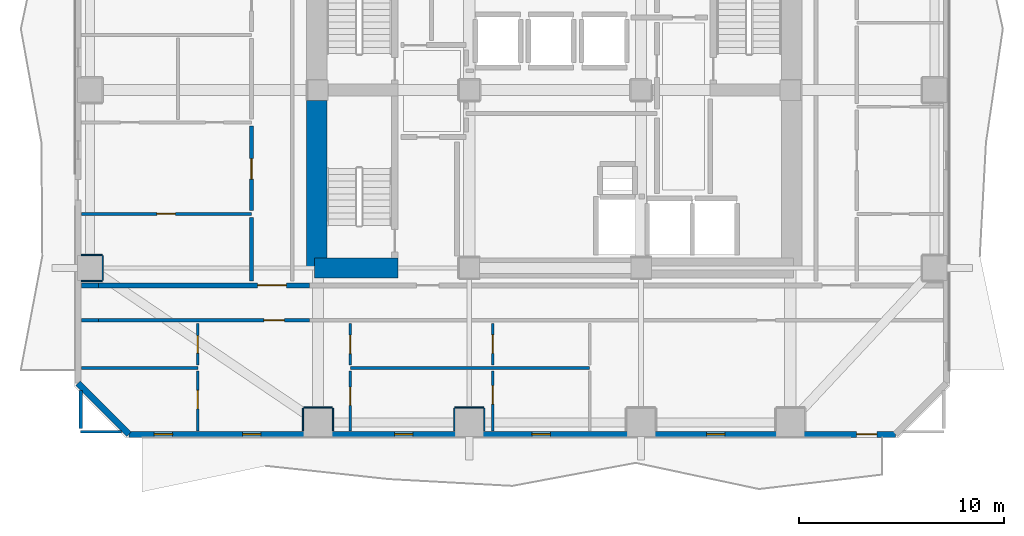
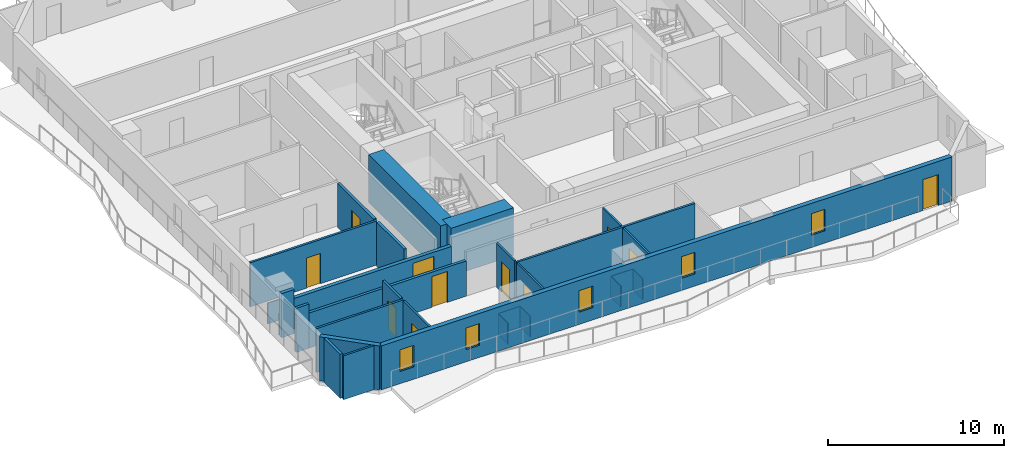
# One storey, part 2 of 10: 30 walls, 11 doors, 5 windows, 16 openings.
"""IFC4 building model written with IfcOpenShell, lengths in metres."""

from ifc_helpers import new_model, si_unit, direction, frame, frame_2d, origin, place, context, subcontext, project, spatial, rectangle, extrude, material, layer, layer_set, type_object, element, fill, save


model = new_model("IFC4")

# Units and contexts
model_context = context("Model", 3, precision=1e-05, world=origin(), true_north=direction((0.0, 1.0)))
body_context = subcontext(model_context, "Body", "Model", "MODEL_VIEW")
ifc_project = project(units=[si_unit("LENGTHUNIT", "METRE"), si_unit("AREAUNIT", "SQUARE_METRE"), si_unit("VOLUMEUNIT", "CUBIC_METRE"), si_unit("PLANEANGLEUNIT", "RADIAN"), si_unit("MASSUNIT", "GRAM", prefix="KILO")], contexts=[model_context])

# Site, building, storey
site_placement = place(None, origin())
site = spatial("IfcSite", under=ifc_project, at=site_placement, CompositionType="ELEMENT")
building_placement = place(site_placement, origin())
building = spatial("IfcBuilding", under=site, at=building_placement, Name="Solanera Arch Residences", CompositionType="ELEMENT")
storey_placement = place(building_placement, frame((0.0, 0.0, 99.43994140625)))
storey = spatial("IfcBuildingStorey", under=building, at=storey_placement, Name="L28", CompositionType="ELEMENT", Elevation=99.43994140625)

# Walls
ifc_material_1 = material(Name="Fire-Rated Gypsum Stud Partition", Category="gypsum")
ifc_layer_1 = layer(ifc_material_1, 0.06005859375)
ifc_layer_set_1 = layer_set([ifc_layer_1], Name="Fire-Rated Gypsum Stud Partition")
wall_type_1 = type_object("IfcWallType", Name="Column Acoustic Furring Wall 60", PredefinedType="PARTITIONING", material=ifc_layer_set_1)
wall_1_placement = place(storey_placement, frame((12.699951171875, 15.181884765625, 0.0), z_axis=(0.0, 0.0, 1.0), x_axis=(1.0, 0.0, 0.0)))
element("IfcWall", 1, at=wall_1_placement, inside=storey, type_object=wall_type_1, Name="L28 Column Furring 9N", PredefinedType="PARTITIONING", context=body_context, shape_type="SweptSolid", body=[
    extrude(rectangle(XDim=1.400146484375, YDim=0.06005859375, at=frame_2d((0.7001953125, 0.0))), origin(), (0.0, 0.0, 1.0), 1.449951171875),
])
for number, where, z_axis, x_axis, name in (
    (2, (12.66796875, 14.030029296875, 0.0), (0.0, 0.0, 1.0), (0.0, 1.0, 0.0), "L28 Column Furring 9W"),
    (3, (14.132080078125, 14.030029296875, 0.0), (0.0, 0.0, 1.0), (0.0, 1.0, 0.0), "L28 Column Furring 9E"),
):
    element("IfcWall", number, at=place(storey_placement, frame(where, z_axis=z_axis, x_axis=x_axis)), inside=storey, type_object=wall_type_1, Name=name, PredefinedType="PARTITIONING", context=body_context, shape_type="SweptSolid", body=[
        extrude(rectangle(XDim=1.119873046875, YDim=0.06005859375, at=frame_2d((0.56005859375, 0.0))), origin(), (0.0, 0.0, 1.0), 1.449951171875),
    ])
wall_2_placement = place(storey_placement, frame((20.10009765625, 15.181884765625, 0.0), z_axis=(0.0, 0.0, 1.0), x_axis=(1.0, 0.0, 0.0)))
element("IfcWall", 4, at=wall_2_placement, inside=storey, type_object=wall_type_1, Name="L28 Column Furring 11N", PredefinedType="PARTITIONING", context=body_context, shape_type="SweptSolid", body=[
    extrude(rectangle(XDim=1.39990234375, YDim=0.06005859375, at=frame_2d((0.699951171875, 0.0))), origin(), (0.0, 0.0, 1.0), 1.449951171875),
])
for number, where, z_axis, x_axis, name in (
    (5, (20.068115234375, 14.030029296875, 0.0), (0.0, 0.0, 1.0), (0.0, 1.0, 0.0), "L28 Column Furring 11W"),
    (6, (21.531982421875, 14.030029296875, 0.0), (0.0, 0.0, 1.0), (0.0, 1.0, 0.0), "L28 Column Furring 11E"),
):
    element("IfcWall", number, at=place(storey_placement, frame(where, z_axis=z_axis, x_axis=x_axis)), inside=storey, type_object=wall_type_1, Name=name, PredefinedType="PARTITIONING", context=body_context, shape_type="SweptSolid", body=[
        extrude(rectangle(XDim=1.119873046875, YDim=0.06005859375, at=frame_2d((0.56005859375, 0.0))), origin(), (0.0, 0.0, 1.0), 1.449951171875),
    ])
for number, where, z_axis, x_axis, name in (
    (7, (1.830078125, 21.367919921875, 0.0), (0.0, 0.0, 1.0), (1.0, 0.0, 0.0), "L28 Column Furring 17S"),
    (8, (1.830078125, 22.632080078125, 0.0), (0.0, 0.0, 1.0), (1.0, 0.0, 0.0), "L28 Column Furring 17N"),
):
    element("IfcWall", number, at=place(storey_placement, frame(where, z_axis=z_axis, x_axis=x_axis)), inside=storey, type_object=wall_type_1, Name=name, PredefinedType="PARTITIONING", context=body_context, shape_type="SweptSolid", body=[
        extrude(rectangle(XDim=1.02001953125, YDim=0.06005859375, at=frame_2d((0.510009765625, 0.0))), origin(), (0.0, 0.0, 1.0), 1.449951171875),
    ])
wall_3_placement = place(storey_placement, frame((2.882080078125, 21.39990234375, 0.0), z_axis=(0.0, 0.0, 1.0), x_axis=(0.0, 1.0, 0.0)))
element("IfcWall", 9, at=wall_3_placement, inside=storey, type_object=wall_type_1, Name="L28 Column Furring 17E", PredefinedType="PARTITIONING", context=body_context, shape_type="SweptSolid", body=[
    extrude(rectangle(XDim=1.2001953125, YDim=0.06005859375, at=frame_2d((0.60009765625, 0.0))), origin(), (0.0, 0.0, 1.0), 1.449951171875),
])
ifc_material_2 = material(Name="Concrete C55/67 (f'c = 60 MPa)", Category="concrete")
ifc_layer_2 = layer(ifc_material_2, 1.0)
ifc_layer_set_2 = layer_set([ifc_layer_2], Name="Concrete C55/67 (f'c = 60 MPa)")
wall_type_2 = type_object("IfcWallType", Name="Core Shear Wall CW-1000", PredefinedType="SHEAR", material=ifc_layer_set_2)
wall_4_placement = place(storey_placement, frame((13.340087890625, 22.0, 0.0), z_axis=(0.0, 0.0, 1.0), x_axis=(0.0, 1.0, 0.0)))
element("IfcWall", 10, at=wall_4_placement, inside=storey, type_object=wall_type_2, Name="L28 West Core South Shear Wall", PredefinedType="SHEAR", context=body_context, shape_type="SweptSolid", body=[
    extrude(rectangle(XDim=8.195068359375, YDim=1.0, at=frame_2d((4.09765625, 0.0))), origin(), (0.0, 0.0, 1.0), 3.320068359375),
])
wall_5_placement = place(storey_placement, frame((13.239990234375, 22.0, 0.0), z_axis=(0.0, 0.0, 1.0), x_axis=(1.0, 0.0, 0.0)))
element("IfcWall", 11, at=wall_5_placement, inside=storey, type_object=wall_type_2, Name="L28 South-West Core Shear Wall", PredefinedType="SHEAR", context=body_context, shape_type="SweptSolid", body=[
    extrude(rectangle(XDim=4.080078125, YDim=1.0, at=frame_2d((2.0400390625, 0.0))), origin(), (0.0, 0.0, 1.0), 3.320068359375),
])
ifc_material_3 = material(Name="Autoclaved Aerated Concrete Blockwork", Category="masonry")
ifc_layer_3 = layer(ifc_material_3, 0.179931640625)
ifc_layer_set_3 = layer_set([ifc_layer_3], Name="Autoclaved Aerated Concrete Blockwork")
wall_type_3 = type_object("IfcWallType", Name="Corridor Fire Partition 180", PredefinedType="PARTITIONING", material=ifc_layer_set_3)
wall_6_placement = place(storey_placement, frame((1.826904296875, 19.449951171875, 0.0), z_axis=(0.0, 0.0, 1.0), x_axis=(1.0, 0.0, 0.0)))
element("IfcWall", 12, at=wall_6_placement, inside=storey, type_object=wall_type_3, Name="L28 Interior Partition H6 1", PredefinedType="PARTITIONING", context=body_context, shape_type="SweptSolid", body=[
    extrude(rectangle(XDim=0.830078125, YDim=0.179931640625, at=frame_2d((0.4150390625, 0.0))), origin(), (0.0, 0.0, 1.0), 3.06005859375),
])

# Wall, opening, door
wall_7_placement = place(storey_placement, frame((2.656982421875, 19.449951171875, 0.0), z_axis=(0.0, 0.0, 1.0), x_axis=(1.0, 0.0, 0.0)))
wall_7 = element("IfcWall", 13, at=wall_7_placement, inside=storey, type_object=wall_type_3, Name="L28 Interior Partition H6 2", PredefinedType="PARTITIONING", context=body_context, shape_type="SweptSolid", body=[
    extrude(rectangle(XDim=10.3359375, YDim=0.179931640625, at=frame_2d((5.16796875, 0.0))), origin(), (0.0, 0.0, 1.0), 2.445068359375),
])
opening_1_placement = place(wall_7_placement, frame((8.096923828125, 0.0, 0.0)))
opening_1 = element("IfcOpeningElement", 14, at=opening_1_placement, cuts=wall_7, Name="Opening DI-01", PredefinedType="OPENING", context=body_context, shape_type="SweptSolid", body=[
    extrude(rectangle(XDim=1.0, YDim=2.14990234375, at=frame_2d((0.5, 1.074951171875))), frame((0.0, 0.10009765625, 0.0), z_axis=(0.0, -1.0, 0.0), x_axis=(1.0, 0.0, 0.0)), (0.0, 0.0, 1.0), 0.1999),
])
ifc_material_4 = material(Name="Fire-Rated Architectural Hardwood", Category="wood")
door_type_1 = type_object("IfcDoorType", Name="Unit Entrance Fire Door DI-01", OperationType="NOTDEFINED", PredefinedType="DOOR", material=ifc_material_4)
door_1_placement = place(opening_1_placement, origin())
door_1 = element("IfcDoor", 15, at=door_1_placement, inside=storey, type_object=door_type_1, Name="DR-L28-IN-016", OperationType="SINGLE_SWING_LEFT", OverallHeight=2.14990234375, OverallWidth=1.0, PredefinedType="DOOR", context=body_context, shape_type="SweptSolid", body=[
    extrude(rectangle(XDim=1.0, YDim=2.14990234375, at=frame_2d((0.5, 1.074951171875))), frame((0.0, 0.02490234375, 0.0), z_axis=(0.0, -1.0, 0.0), x_axis=(1.0, 0.0, 0.0)), (0.0, 0.0, 1.0), 0.050048828125),
])
fill(opening_1, door_1)

# Walls
wall_8_placement = place(storey_placement, frame((1.800048828125, 14.157958984375, 0.0), z_axis=(0.0, 0.0, 1.0), x_axis=(0.0, 1.0, 0.0)))
element("IfcWall", 16, at=wall_8_placement, inside=storey, type_object=wall_type_3, Name="L28 Interior Partition V7 1", PredefinedType="PARTITIONING", context=body_context, shape_type="SweptSolid", body=[
    extrude(rectangle(XDim=1.843017578125, YDim=0.179931640625, at=frame_2d((0.92138671875, 0.0))), origin(), (0.0, 0.0, 1.0), 3.06005859375),
])
wall_9_placement = place(storey_placement, frame((10.14990234375, 21.367919921875, 0.0), z_axis=(0.0, 0.0, 1.0), x_axis=(0.0, 1.0, 0.0)))
element("IfcWall", 17, at=wall_9_placement, inside=storey, type_object=wall_type_3, Name="L28 Interior Partition V8 1", PredefinedType="PARTITIONING", context=body_context, shape_type="SweptSolid", body=[
    extrude(rectangle(XDim=3.109130859375, YDim=0.179931640625, at=frame_2d((1.5546875, 0.0))), origin(), (0.0, 0.0, 1.0), 3.06005859375),
])

# Wall, opening, door
wall_10_placement = place(storey_placement, frame((10.14990234375, 24.81298828125, 0.0), z_axis=(0.0, 0.0, 1.0), x_axis=(0.0, 1.0, 0.0)))
wall_10 = element("IfcWall", 18, at=wall_10_placement, inside=storey, type_object=wall_type_3, Name="L28 Interior Partition V8 2", PredefinedType="PARTITIONING", context=body_context, shape_type="SweptSolid", body=[
    extrude(rectangle(XDim=4.138916015625, YDim=0.179931640625, at=frame_2d((2.0693359375, 0.0))), origin(), (0.0, 0.0, 1.0), 3.06005859375),
])
opening_2_placement = place(wall_10_placement, frame((1.537109375, 0.0, 0.0)))
opening_2 = element("IfcOpeningElement", 19, at=opening_2_placement, cuts=wall_10, Name="Opening DI-01", PredefinedType="OPENING", context=body_context, shape_type="SweptSolid", body=[
    extrude(rectangle(XDim=1.0, YDim=2.14990234375, at=frame_2d((0.5, 1.074951171875))), frame((0.0, 0.10009765625, 0.0), z_axis=(0.0, -1.0, 0.0), x_axis=(1.0, 0.0, 0.0)), (0.0, 0.0, 1.0), 0.1999),
])
door_2_placement = place(opening_2_placement, origin())
door_2 = element("IfcDoor", 20, at=door_2_placement, inside=storey, type_object=door_type_1, Name="DR-L28-IN-031", OperationType="SINGLE_SWING_RIGHT", OverallHeight=2.14990234375, OverallWidth=1.0, PredefinedType="DOOR", context=body_context, shape_type="SweptSolid", body=[
    extrude(rectangle(XDim=1.0, YDim=2.14990234375, at=frame_2d((0.5, 1.074951171875))), frame((0.0, 0.02490234375, 0.0), z_axis=(0.0, -1.0, 0.0), x_axis=(1.0, 0.0, 0.0)), (0.0, 0.0, 1.0), 0.050048828125),
])
fill(opening_2, door_2)

# Wall, openings, door, windows
ifc_material_5 = material(Name="Precast Concrete C35/45", Category="concrete")
ifc_layer_4 = layer(ifc_material_5, 0.300048828125)
ifc_layer_set_4 = layer_set([ifc_layer_4], Name="Precast Concrete C35/45")
wall_type_4 = type_object("IfcWallType", Name="Exterior Wall Precast Masonry-Frame 300", PredefinedType="STANDARD", material=ifc_layer_set_4)
wall_11_placement = place(storey_placement, frame((41.635009765625, 13.864990234375, 0.0), z_axis=(0.0, 0.0, 1.0), x_axis=(-1.0, 0.0, 0.0)))
wall_11 = element("IfcWall", 21, at=wall_11_placement, inside=storey, type_object=wall_type_4, Name="L28 Tower Exterior Precast Masonry-Frame Wall S", PredefinedType="STANDARD", context=body_context, shape_type="SweptSolid", body=[
    extrude(rectangle(XDim=37.469970703125, YDim=0.300048828125, at=frame_2d((18.73486328125, 0.0))), origin(), (0.0, 0.0, 1.0), 3.06005859375),
])
opening_3_placement = place(wall_11_placement, frame((0.90087890625, 0.0, 0.0)))
opening_3 = element("IfcOpeningElement", 22, at=opening_3_placement, cuts=wall_11, Name="Opening DB-01", PredefinedType="OPENING", context=body_context, shape_type="SweptSolid", body=[
    extrude(rectangle(XDim=1.0, YDim=2.14990234375, at=frame_2d((0.5, 1.074951171875))), frame((0.0, 0.159912109375, 0.0), z_axis=(0.0, -1.0, 0.0), x_axis=(1.0, 0.0, 0.0)), (0.0, 0.0, 1.0), 0.32),
])
opening_4_placement = place(wall_11_placement, frame((31.02392578125, 0.0, 0.85009765625)))
opening_4 = element("IfcOpeningElement", 23, at=opening_4_placement, cuts=wall_11, Name="Opening W-06", PredefinedType="OPENING", context=body_context, shape_type="SweptSolid", body=[
    extrude(rectangle(XDim=0.89990234375, YDim=1.5, at=frame_2d((0.449951171875, 0.75))), frame((0.0, 0.159912109375, 0.0), z_axis=(0.0, -1.0, 0.0), x_axis=(1.0, 0.0, 0.0)), (0.0, 0.0, 1.0), 0.32),
])
opening_5_placement = place(wall_11_placement, frame((35.345947265625, 0.0, 0.85009765625)))
opening_5 = element("IfcOpeningElement", 24, at=opening_5_placement, cuts=wall_11, Name="Opening W-06", PredefinedType="OPENING", context=body_context, shape_type="SweptSolid", body=[
    extrude(rectangle(XDim=0.89990234375, YDim=1.5, at=frame_2d((0.449951171875, 0.75))), frame((0.0, 0.159912109375, 0.0), z_axis=(0.0, -1.0, 0.0), x_axis=(1.0, 0.0, 0.0)), (0.0, 0.0, 1.0), 0.32),
])
opening_6_placement = place(wall_11_placement, frame((23.592041015625, 0.0, 0.85009765625)))
opening_6 = element("IfcOpeningElement", 25, at=opening_6_placement, cuts=wall_11, Name="Opening W-06", PredefinedType="OPENING", context=body_context, shape_type="SweptSolid", body=[
    extrude(rectangle(XDim=0.89990234375, YDim=1.5, at=frame_2d((0.449951171875, 0.75))), frame((0.0, 0.159912109375, 0.0), z_axis=(0.0, -1.0, 0.0), x_axis=(1.0, 0.0, 0.0)), (0.0, 0.0, 1.0), 0.32),
])
opening_7_placement = place(wall_11_placement, frame((16.8701171875, 0.0, 0.85009765625)))
opening_7 = element("IfcOpeningElement", 26, at=opening_7_placement, cuts=wall_11, Name="Opening W-06", PredefinedType="OPENING", context=body_context, shape_type="SweptSolid", body=[
    extrude(rectangle(XDim=0.89990234375, YDim=1.5, at=frame_2d((0.449951171875, 0.75))), frame((0.0, 0.159912109375, 0.0), z_axis=(0.0, -1.0, 0.0), x_axis=(1.0, 0.0, 0.0)), (0.0, 0.0, 1.0), 0.32),
])
opening_8_placement = place(wall_11_placement, frame((8.3349609375, 0.0, 0.85009765625)))
opening_8 = element("IfcOpeningElement", 27, at=opening_8_placement, cuts=wall_11, Name="Opening W-06", PredefinedType="OPENING", context=body_context, shape_type="SweptSolid", body=[
    extrude(rectangle(XDim=0.89990234375, YDim=1.5, at=frame_2d((0.449951171875, 0.75))), frame((0.0, 0.159912109375, 0.0), z_axis=(0.0, -1.0, 0.0), x_axis=(1.0, 0.0, 0.0)), (0.0, 0.0, 1.0), 0.32),
])
ifc_material_6 = material(Name="Anodised Aluminium Alloy 6063-T6", Category="aluminium")
door_type_2 = type_object("IfcDoorType", Name="Glazed Balcony Swing Door DB-01", OperationType="NOTDEFINED", PredefinedType="DOOR", material=ifc_material_6)
door_3_placement = place(opening_3_placement, origin())
door_3 = element("IfcDoor", 28, at=door_3_placement, inside=storey, type_object=door_type_2, Name="DR-L28-OUT-01", OperationType="SINGLE_SWING_RIGHT", OverallHeight=2.14990234375, OverallWidth=1.0, PredefinedType="DOOR", context=body_context, shape_type="SweptSolid", body=[
    extrude(rectangle(XDim=1.0, YDim=2.14990234375, at=frame_2d((0.5, 1.074951171875))), frame((0.0, 0.02490234375, 0.0), z_axis=(0.0, -1.0, 0.0), x_axis=(1.0, 0.0, 0.0)), (0.0, 0.0, 1.0), 0.050048828125),
])
fill(opening_3, door_3)
ifc_material_7 = material(Name="Double Glazed Low-E Laminated Glass", Category="glass")
window_type = type_object("IfcWindowType", Name="Punched Window W-06", PartitioningType="SINGLE_PANEL", PredefinedType="WINDOW", material=ifc_material_7)
window_1_placement = place(opening_4_placement, origin())
window_1 = element("IfcWindow", 29, at=window_1_placement, inside=storey, type_object=window_type, Name="L28 2801-LIV Punched Window", OverallHeight=1.5, OverallWidth=0.89990234375, PartitioningType="SINGLE_PANEL", PredefinedType="WINDOW", context=body_context, shape_type="SweptSolid", body=[
    extrude(rectangle(XDim=0.89990234375, YDim=1.5, at=frame_2d((0.449951171875, 0.75))), frame((0.0, 0.030029296875, 0.0), z_axis=(0.0, -1.0, 0.0), x_axis=(1.0, 0.0, 0.0)), (0.0, 0.0, 1.0), 0.06005859375),
])
fill(opening_4, window_1)
window_2_placement = place(opening_5_placement, origin())
window_2 = element("IfcWindow", 30, at=window_2_placement, inside=storey, type_object=window_type, Name="L28 2801-BR1 Punched Window", OverallHeight=1.5, OverallWidth=0.89990234375, PartitioningType="SINGLE_PANEL", PredefinedType="WINDOW", context=body_context, shape_type="SweptSolid", body=[
    extrude(rectangle(XDim=0.89990234375, YDim=1.5, at=frame_2d((0.449951171875, 0.75))), frame((0.0, 0.030029296875, 0.0), z_axis=(0.0, -1.0, 0.0), x_axis=(1.0, 0.0, 0.0)), (0.0, 0.0, 1.0), 0.06005859375),
])
fill(opening_5, window_2)
window_3_placement = place(opening_6_placement, origin())
window_3 = element("IfcWindow", 31, at=window_3_placement, inside=storey, type_object=window_type, Name="L28 2801-BR2 Punched Window", OverallHeight=1.5, OverallWidth=0.89990234375, PartitioningType="SINGLE_PANEL", PredefinedType="WINDOW", context=body_context, shape_type="SweptSolid", body=[
    extrude(rectangle(XDim=0.89990234375, YDim=1.5, at=frame_2d((0.449951171875, 0.75))), frame((0.0, 0.030029296875, 0.0), z_axis=(0.0, -1.0, 0.0), x_axis=(1.0, 0.0, 0.0)), (0.0, 0.0, 1.0), 0.06005859375),
])
fill(opening_6, window_3)
window_4_placement = place(opening_7_placement, origin())
window_4 = element("IfcWindow", 32, at=window_4_placement, inside=storey, type_object=window_type, Name="L28 2801-BR3 Punched Window", OverallHeight=1.5, OverallWidth=0.89990234375, PartitioningType="SINGLE_PANEL", PredefinedType="WINDOW", context=body_context, shape_type="SweptSolid", body=[
    extrude(rectangle(XDim=0.89990234375, YDim=1.5, at=frame_2d((0.449951171875, 0.75))), frame((0.0, 0.030029296875, 0.0), z_axis=(0.0, -1.0, 0.0), x_axis=(1.0, 0.0, 0.0)), (0.0, 0.0, 1.0), 0.06005859375),
])
fill(opening_7, window_4)
window_5_placement = place(opening_8_placement, origin())
window_5 = element("IfcWindow", 33, at=window_5_placement, inside=storey, type_object=window_type, Name="L28 AMN-LNG Punched Window", OverallHeight=1.5, OverallWidth=0.89990234375, PartitioningType="SINGLE_PANEL", PredefinedType="WINDOW", context=body_context, shape_type="SweptSolid", body=[
    extrude(rectangle(XDim=0.89990234375, YDim=1.5, at=frame_2d((0.449951171875, 0.75))), frame((0.0, 0.030029296875, 0.0), z_axis=(0.0, -1.0, 0.0), x_axis=(1.0, 0.0, 0.0)), (0.0, 0.0, 1.0), 0.06005859375),
])
fill(opening_8, window_5)

# Walls
wall_12_placement = place(storey_placement, frame((4.1650390625, 13.864990234375, 0.0), z_axis=(0.0, 0.0, 1.0), x_axis=(-0.707106781187, 0.707106781187, 0.0)))
element("IfcWall", 34, at=wall_12_placement, inside=storey, type_object=wall_type_4, Name="L28 Tower Exterior Precast Masonry-Frame Wall CH7", PredefinedType="STANDARD", context=body_context, shape_type="SweptSolid", body=[
    extrude(rectangle(XDim=3.53564453125, YDim=0.300048828125, at=frame_2d((1.767822265625, 0.0))), origin(), (0.0, 0.0, 1.0), 3.06005859375),
])
ifc_material_8 = material(Name="Autoclaved Aerated Concrete Blockwork", Category="masonry")
ifc_layer_5 = layer(ifc_material_8, 0.239990234375)
ifc_layer_set_5 = layer_set([ifc_layer_5], Name="Autoclaved Aerated Concrete Blockwork")
wall_type_5 = type_object("IfcWallType", Name="Shaft Wall Fire-Rated 240", PredefinedType="PARTITIONING", material=ifc_layer_set_5)
wall_13_placement = place(storey_placement, frame((1.826904296875, 21.14990234375, 0.0), z_axis=(0.0, 0.0, 1.0), x_axis=(1.0, 0.0, 0.0)))
element("IfcWall", 35, at=wall_13_placement, inside=storey, type_object=wall_type_5, Name="L28 Interior Partition H1 1", PredefinedType="PARTITIONING", context=body_context, shape_type="SweptSolid", body=[
    extrude(rectangle(XDim=0.830078125, YDim=0.239990234375, at=frame_2d((0.4150390625, 0.0))), origin(), (0.0, 0.0, 1.0), 3.06005859375),
])

# Wall, opening, door
wall_14_placement = place(storey_placement, frame((2.656982421875, 21.14990234375, 0.0), z_axis=(0.0, 0.0, 1.0), x_axis=(1.0, 0.0, 0.0)))
wall_14 = element("IfcWall", 36, at=wall_14_placement, inside=storey, type_object=wall_type_5, Name="L28 Interior Partition H1 2", PredefinedType="PARTITIONING", context=body_context, shape_type="SweptSolid", body=[
    extrude(rectangle(XDim=10.3359375, YDim=0.239990234375, at=frame_2d((5.16796875, 0.0))), origin(), (0.0, 0.0, 1.0), 2.445068359375),
])
opening_9_placement = place(wall_14_placement, frame((7.79296875, 0.0, 0.0)))
opening_9 = element("IfcOpeningElement", 37, at=opening_9_placement, cuts=wall_14, Name="Opening DF-03", PredefinedType="OPENING", context=body_context, shape_type="SweptSolid", body=[
    extrude(rectangle(XDim=1.39990234375, YDim=2.14990234375, at=frame_2d((0.699951171875, 1.074951171875))), frame((0.0, 0.1298828125, 0.0), z_axis=(0.0, -1.0, 0.0), x_axis=(1.0, 0.0, 0.0)), (0.0, 0.0, 1.0), 0.26),
])
ifc_material_9 = material(Name="Fire-Rated Architectural Hardwood", Category="wood")
door_type_3 = type_object("IfcDoorType", Name="Corridor Smoke Door DF-03", OperationType="NOTDEFINED", PredefinedType="DOOR", material=ifc_material_9)
door_4_placement = place(opening_9_placement, origin())
door_4 = element("IfcDoor", 38, at=door_4_placement, inside=storey, type_object=door_type_3, Name="DR-L28-IN-010", OperationType="SINGLE_SWING_LEFT", OverallHeight=2.14990234375, OverallWidth=1.39990234375, PredefinedType="DOOR", context=body_context, shape_type="SweptSolid", body=[
    extrude(rectangle(XDim=1.39990234375, YDim=2.14990234375, at=frame_2d((0.699951171875, 1.074951171875))), frame((0.0, 0.02490234375, 0.0), z_axis=(0.0, -1.0, 0.0), x_axis=(1.0, 0.0, 0.0)), (0.0, 0.0, 1.0), 0.050048828125),
])
fill(opening_9, door_4)

# Wall
ifc_material_10 = material(Name="Fire-Rated Gypsum Stud Partition", Category="gypsum")
ifc_layer_6 = layer(ifc_material_10, 0.1201171875)
ifc_layer_set_6 = layer_set([ifc_layer_6], Name="Fire-Rated Gypsum Stud Partition")
wall_type_6 = type_object("IfcWallType", Name="Unit Drywall Partition 120", PredefinedType="PARTITIONING", material=ifc_layer_set_6)
wall_15_placement = place(storey_placement, frame((1.800048828125, 14.0, 0.0), z_axis=(0.0, 0.0, 1.0), x_axis=(1.0, 0.0, 0.0)))
element("IfcWall", 39, at=wall_15_placement, inside=storey, type_object=wall_type_6, Name="L28 Interior Partition H21 1", PredefinedType="PARTITIONING", context=body_context, shape_type="SweptSolid", body=[
    extrude(rectangle(XDim=2.0009765625, YDim=0.1201171875, at=frame_2d((1.00048828125, 0.0))), origin(), (0.0, 0.0, 1.0), 3.06005859375),
])

# Wall, opening, door
wall_16_placement = place(storey_placement, frame((14.986083984375, 14.027099609375, 0.0), z_axis=(0.0, 0.0, 1.0), x_axis=(0.0, 1.0, 0.0)))
wall_16 = element("IfcWall", 40, at=wall_16_placement, inside=storey, type_object=wall_type_6, Name="L28 Interior Partition V19 1", PredefinedType="PARTITIONING", context=body_context, shape_type="SweptSolid", body=[
    extrude(rectangle(XDim=2.94189453125, YDim=0.1201171875, at=frame_2d((1.470947265625, 0.0))), origin(), (0.0, 0.0, 1.0), 3.06005859375),
])
opening_10_placement = place(wall_16_placement, frame((1.2490234375, 0.0, 0.0)))
opening_10 = element("IfcOpeningElement", 41, at=opening_10_placement, cuts=wall_16, Name="Opening DI-03", PredefinedType="OPENING", context=body_context, shape_type="SweptSolid", body=[
    extrude(rectangle(XDim=0.89990234375, YDim=2.10009765625, at=frame_2d((0.449951171875, 1.050048828125))), frame((0.0, 0.070068359375, 0.0), z_axis=(0.0, -1.0, 0.0), x_axis=(1.0, 0.0, 0.0)), (0.0, 0.0, 1.0), 0.1401),
])
ifc_material_11 = material(Name="Fire-Rated Architectural Hardwood", Category="wood")
door_type_4 = type_object("IfcDoorType", Name="Bedroom Swing Door DI-03", OperationType="NOTDEFINED", PredefinedType="DOOR", material=ifc_material_11)
door_5_placement = place(opening_10_placement, origin())
door_5 = element("IfcDoor", 42, at=door_5_placement, inside=storey, type_object=door_type_4, Name="DR-L28-IN-021", OperationType="SINGLE_SWING_RIGHT", OverallHeight=2.10009765625, OverallWidth=0.89990234375, PredefinedType="DOOR", context=body_context, shape_type="SweptSolid", body=[
    extrude(rectangle(XDim=0.89990234375, YDim=2.10009765625, at=frame_2d((0.449951171875, 1.050048828125))), frame((0.0, 0.02490234375, 0.0), z_axis=(0.0, -1.0, 0.0), x_axis=(1.0, 0.0, 0.0)), (0.0, 0.0, 1.0), 0.050048828125),
])
fill(opening_10, door_5)

wall_17_placement = place(storey_placement, frame((14.986083984375, 17.2451171875, 0.0), z_axis=(0.0, 0.0, 1.0), x_axis=(0.0, 1.0, 0.0)))
wall_17 = element("IfcWall", 43, at=wall_17_placement, inside=storey, type_object=wall_type_6, Name="L28 Interior Partition V19 2", PredefinedType="PARTITIONING", context=body_context, shape_type="SweptSolid", body=[
    extrude(rectangle(XDim=2.046875, YDim=0.1201171875, at=frame_2d((1.0234375, 0.0))), origin(), (0.0, 0.0, 1.0), 3.06005859375),
])
opening_11_placement = place(wall_17_placement, frame((0.571044921875, 0.0, 0.0)))
opening_11 = element("IfcOpeningElement", 44, at=opening_11_placement, cuts=wall_17, Name="Opening DI-02", PredefinedType="OPENING", context=body_context, shape_type="SweptSolid", body=[
    extrude(rectangle(XDim=0.89990234375, YDim=2.10009765625, at=frame_2d((0.449951171875, 1.050048828125))), frame((0.0, 0.070068359375, 0.0), z_axis=(0.0, -1.0, 0.0), x_axis=(1.0, 0.0, 0.0)), (0.0, 0.0, 1.0), 0.1401),
])
ifc_material_12 = material(Name="Fire-Rated Architectural Hardwood", Category="wood")
door_type_5 = type_object("IfcDoorType", Name="Suite Room Swing Door DI-02", OperationType="NOTDEFINED", PredefinedType="DOOR", material=ifc_material_12)
door_6_placement = place(opening_11_placement, origin())
door_6 = element("IfcDoor", 45, at=door_6_placement, inside=storey, type_object=door_type_5, Name="DR-L28-IN-019", OperationType="SINGLE_SWING_RIGHT", OverallHeight=2.10009765625, OverallWidth=0.89990234375, PredefinedType="DOOR", context=body_context, shape_type="SweptSolid", body=[
    extrude(rectangle(XDim=0.89990234375, YDim=2.10009765625, at=frame_2d((0.449951171875, 1.050048828125))), frame((0.0, 0.02490234375, 0.0), z_axis=(0.0, -1.0, 0.0), x_axis=(1.0, 0.0, 0.0)), (0.0, 0.0, 1.0), 0.050048828125),
])
fill(opening_11, door_6)

wall_18_placement = place(storey_placement, frame((21.949951171875, 14.027099609375, 0.0), z_axis=(0.0, 0.0, 1.0), x_axis=(0.0, 1.0, 0.0)))
wall_18 = element("IfcWall", 46, at=wall_18_placement, inside=storey, type_object=wall_type_6, Name="L28 Interior Partition V20 1", PredefinedType="PARTITIONING", context=body_context, shape_type="SweptSolid", body=[
    extrude(rectangle(XDim=2.94189453125, YDim=0.1201171875, at=frame_2d((1.470947265625, 0.0))), origin(), (0.0, 0.0, 1.0), 3.06005859375),
])
opening_12_placement = place(wall_18_placement, frame((1.31689453125, 0.0, 0.0)))
opening_12 = element("IfcOpeningElement", 47, at=opening_12_placement, cuts=wall_18, Name="Opening DI-03", PredefinedType="OPENING", context=body_context, shape_type="SweptSolid", body=[
    extrude(rectangle(XDim=0.89990234375, YDim=2.10009765625, at=frame_2d((0.449951171875, 1.050048828125))), frame((0.0, 0.070068359375, 0.0), z_axis=(0.0, -1.0, 0.0), x_axis=(1.0, 0.0, 0.0)), (0.0, 0.0, 1.0), 0.1401),
])
door_7_placement = place(opening_12_placement, origin())
door_7 = element("IfcDoor", 48, at=door_7_placement, inside=storey, type_object=door_type_4, Name="DR-L28-IN-022", OperationType="SINGLE_SWING_LEFT", OverallHeight=2.10009765625, OverallWidth=0.89990234375, PredefinedType="DOOR", context=body_context, shape_type="SweptSolid", body=[
    extrude(rectangle(XDim=0.89990234375, YDim=2.10009765625, at=frame_2d((0.449951171875, 1.050048828125))), frame((0.0, 0.02490234375, 0.0), z_axis=(0.0, -1.0, 0.0), x_axis=(1.0, 0.0, 0.0)), (0.0, 0.0, 1.0), 0.050048828125),
])
fill(opening_12, door_7)

wall_19_placement = place(storey_placement, frame((21.949951171875, 17.2451171875, 0.0), z_axis=(0.0, 0.0, 1.0), x_axis=(0.0, 1.0, 0.0)))
wall_19 = element("IfcWall", 49, at=wall_19_placement, inside=storey, type_object=wall_type_6, Name="L28 Interior Partition V20 2", PredefinedType="PARTITIONING", context=body_context, shape_type="SweptSolid", body=[
    extrude(rectangle(XDim=2.046875, YDim=0.1201171875, at=frame_2d((1.0234375, 0.0))), origin(), (0.0, 0.0, 1.0), 3.06005859375),
])
opening_13_placement = place(wall_19_placement, frame((0.5830078125, 0.0, 0.0)))
opening_13 = element("IfcOpeningElement", 50, at=opening_13_placement, cuts=wall_19, Name="Opening DI-02", PredefinedType="OPENING", context=body_context, shape_type="SweptSolid", body=[
    extrude(rectangle(XDim=0.89990234375, YDim=2.10009765625, at=frame_2d((0.449951171875, 1.050048828125))), frame((0.0, 0.070068359375, 0.0), z_axis=(0.0, -1.0, 0.0), x_axis=(1.0, 0.0, 0.0)), (0.0, 0.0, 1.0), 0.1401),
])
door_8_placement = place(opening_13_placement, origin())
door_8 = element("IfcDoor", 51, at=door_8_placement, inside=storey, type_object=door_type_5, Name="DR-L28-IN-020", OperationType="SINGLE_SWING_LEFT", OverallHeight=2.10009765625, OverallWidth=0.89990234375, PredefinedType="DOOR", context=body_context, shape_type="SweptSolid", body=[
    extrude(rectangle(XDim=0.89990234375, YDim=2.10009765625, at=frame_2d((0.449951171875, 1.050048828125))), frame((0.0, 0.02490234375, 0.0), z_axis=(0.0, -1.0, 0.0), x_axis=(1.0, 0.0, 0.0)), (0.0, 0.0, 1.0), 0.050048828125),
])
fill(opening_13, door_8)

# Walls
ifc_material_13 = material(Name="Autoclaved Aerated Concrete Blockwork", Category="masonry")
ifc_layer_7 = layer(ifc_material_13, 0.139892578125)
ifc_layer_set_7 = layer_set([ifc_layer_7], Name="Autoclaved Aerated Concrete Blockwork")
wall_type_7 = type_object("IfcWallType", Name="Wet-Room Partition 140", PredefinedType="PARTITIONING", material=ifc_layer_set_7)
wall_20_placement = place(storey_placement, frame((1.826904296875, 17.10693359375, 0.0), z_axis=(0.0, 0.0, 1.0), x_axis=(1.0, 0.0, 0.0)))
element("IfcWall", 52, at=wall_20_placement, inside=storey, type_object=wall_type_7, Name="L28 Interior Partition H12", PredefinedType="PARTITIONING", context=body_context, shape_type="SweptSolid", body=[
    extrude(rectangle(XDim=5.695068359375, YDim=0.139892578125, at=frame_2d((2.84765625, 0.0))), origin(), (0.0, 0.0, 1.0), 3.06005859375),
])
wall_21_placement = place(storey_placement, frame((14.986083984375, 17.10693359375, 0.0), z_axis=(0.0, 0.0, 1.0), x_axis=(1.0, 0.0, 0.0)))
element("IfcWall", 53, at=wall_21_placement, inside=storey, type_object=wall_type_7, Name="L28 Interior Partition H13", PredefinedType="PARTITIONING", context=body_context, shape_type="SweptSolid", body=[
    extrude(rectangle(XDim=11.69287109375, YDim=0.139892578125, at=frame_2d((5.846435546875, 0.0))), origin(), (0.0, 0.0, 1.0), 3.06005859375),
])

# Wall, opening, door
wall_22_placement = place(storey_placement, frame((1.826904296875, 24.64501953125, 0.0), z_axis=(0.0, 0.0, 1.0), x_axis=(1.0, 0.0, 0.0)))
wall_22 = element("IfcWall", 54, at=wall_22_placement, inside=storey, type_object=wall_type_7, Name="L28 Interior Partition H14", PredefinedType="PARTITIONING", context=body_context, shape_type="SweptSolid", body=[
    extrude(rectangle(XDim=8.322998046875, YDim=0.139892578125, at=frame_2d((4.16162109375, 0.0))), origin(), (0.0, 0.0, 1.0), 3.06005859375),
])
opening_14_placement = place(wall_22_placement, frame((3.697998046875, 0.0, 0.0)))
opening_14 = element("IfcOpeningElement", 55, at=opening_14_placement, cuts=wall_22, Name="Opening DI-02", PredefinedType="OPENING", context=body_context, shape_type="SweptSolid", body=[
    extrude(rectangle(XDim=0.89990234375, YDim=2.10009765625, at=frame_2d((0.449951171875, 1.050048828125))), frame((0.0, 0.079833984375, 0.0), z_axis=(0.0, -1.0, 0.0), x_axis=(1.0, 0.0, 0.0)), (0.0, 0.0, 1.0), 0.1599),
])
door_9_placement = place(opening_14_placement, origin())
door_9 = element("IfcDoor", 56, at=door_9_placement, inside=storey, type_object=door_type_5, Name="DR-L28-IN-032", OperationType="SINGLE_SWING_LEFT", OverallHeight=2.10009765625, OverallWidth=0.89990234375, PredefinedType="DOOR", context=body_context, shape_type="SweptSolid", body=[
    extrude(rectangle(XDim=0.89990234375, YDim=2.10009765625, at=frame_2d((0.449951171875, 1.050048828125))), frame((0.0, 0.02490234375, 0.0), z_axis=(0.0, -1.0, 0.0), x_axis=(1.0, 0.0, 0.0)), (0.0, 0.0, 1.0), 0.050048828125),
])
fill(opening_14, door_9)

wall_23_placement = place(storey_placement, frame((7.52197265625, 14.027099609375, 0.0), z_axis=(0.0, 0.0, 1.0), x_axis=(0.0, 1.0, 0.0)))
wall_23 = element("IfcWall", 57, at=wall_23_placement, inside=storey, type_object=wall_type_7, Name="L28 Interior Partition V17 1", PredefinedType="PARTITIONING", context=body_context, shape_type="SweptSolid", body=[
    extrude(rectangle(XDim=2.931884765625, YDim=0.139892578125, at=frame_2d((1.4658203125, 0.0))), origin(), (0.0, 0.0, 1.0), 3.06005859375),
])
opening_15_placement = place(wall_23_placement, frame((1.089111328125, 0.0, 0.0)))
opening_15 = element("IfcOpeningElement", 58, at=opening_15_placement, cuts=wall_23, Name="Opening DI-03", PredefinedType="OPENING", context=body_context, shape_type="SweptSolid", body=[
    extrude(rectangle(XDim=0.89990234375, YDim=2.10009765625, at=frame_2d((0.449951171875, 1.050048828125))), frame((0.0, 0.079833984375, 0.0), z_axis=(0.0, -1.0, 0.0), x_axis=(1.0, 0.0, 0.0)), (0.0, 0.0, 1.0), 0.1599),
])
door_10_placement = place(opening_15_placement, origin())
door_10 = element("IfcDoor", 59, at=door_10_placement, inside=storey, type_object=door_type_4, Name="DR-L28-IN-018", OperationType="SINGLE_SWING_LEFT", OverallHeight=2.10009765625, OverallWidth=0.89990234375, PredefinedType="DOOR", context=body_context, shape_type="SweptSolid", body=[
    extrude(rectangle(XDim=0.89990234375, YDim=2.10009765625, at=frame_2d((0.449951171875, 1.050048828125))), frame((0.0, 0.02490234375, 0.0), z_axis=(0.0, -1.0, 0.0), x_axis=(1.0, 0.0, 0.0)), (0.0, 0.0, 1.0), 0.050048828125),
])
fill(opening_15, door_10)

wall_24_placement = place(storey_placement, frame((7.52197265625, 17.2548828125, 0.0), z_axis=(0.0, 0.0, 1.0), x_axis=(0.0, 1.0, 0.0)))
wall_24 = element("IfcWall", 60, at=wall_24_placement, inside=storey, type_object=wall_type_7, Name="L28 Interior Partition V17 2", PredefinedType="PARTITIONING", context=body_context, shape_type="SweptSolid", body=[
    extrude(rectangle(XDim=2.027099609375, YDim=0.139892578125, at=frame_2d((1.013671875, 0.0))), origin(), (0.0, 0.0, 1.0), 3.06005859375),
])
opening_16_placement = place(wall_24_placement, frame((0.5810546875, 0.0, 0.0)))
opening_16 = element("IfcOpeningElement", 61, at=opening_16_placement, cuts=wall_24, Name="Opening DI-05", PredefinedType="OPENING", context=body_context, shape_type="SweptSolid", body=[
    extrude(rectangle(XDim=0.860107421875, YDim=2.02001953125, at=frame_2d((0.43017578125, 1.010009765625))), frame((0.0, 0.079833984375, 0.0), z_axis=(0.0, -1.0, 0.0), x_axis=(1.0, 0.0, 0.0)), (0.0, 0.0, 1.0), 0.1599),
])
ifc_material_14 = material(Name="Fire-Rated Architectural Hardwood", Category="wood")
door_type_6 = type_object("IfcDoorType", Name="Bathroom Swing Door DI-05", OperationType="NOTDEFINED", PredefinedType="DOOR", material=ifc_material_14)
door_11_placement = place(opening_16_placement, origin())
door_11 = element("IfcDoor", 62, at=door_11_placement, inside=storey, type_object=door_type_6, Name="DR-L28-IN-017", OperationType="SINGLE_SWING_RIGHT", OverallHeight=2.02001953125, OverallWidth=0.860107421875, PredefinedType="DOOR", context=body_context, shape_type="SweptSolid", body=[
    extrude(rectangle(XDim=0.860107421875, YDim=2.02001953125, at=frame_2d((0.43017578125, 1.010009765625))), frame((0.0, 0.02490234375, 0.0), z_axis=(0.0, -1.0, 0.0), x_axis=(1.0, 0.0, 0.0)), (0.0, 0.0, 1.0), 0.050048828125),
])
fill(opening_16, door_11)

save(model, "model.ifc")
